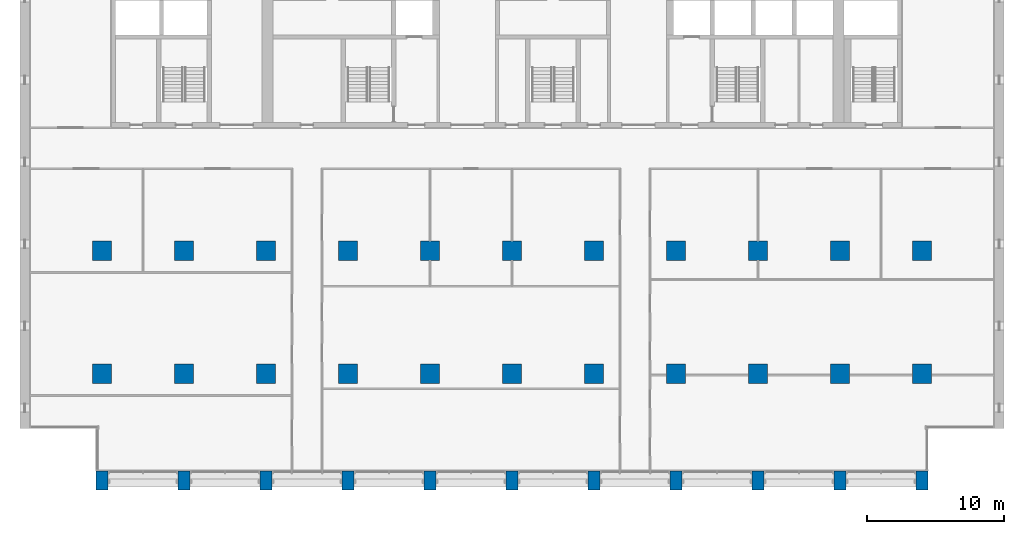
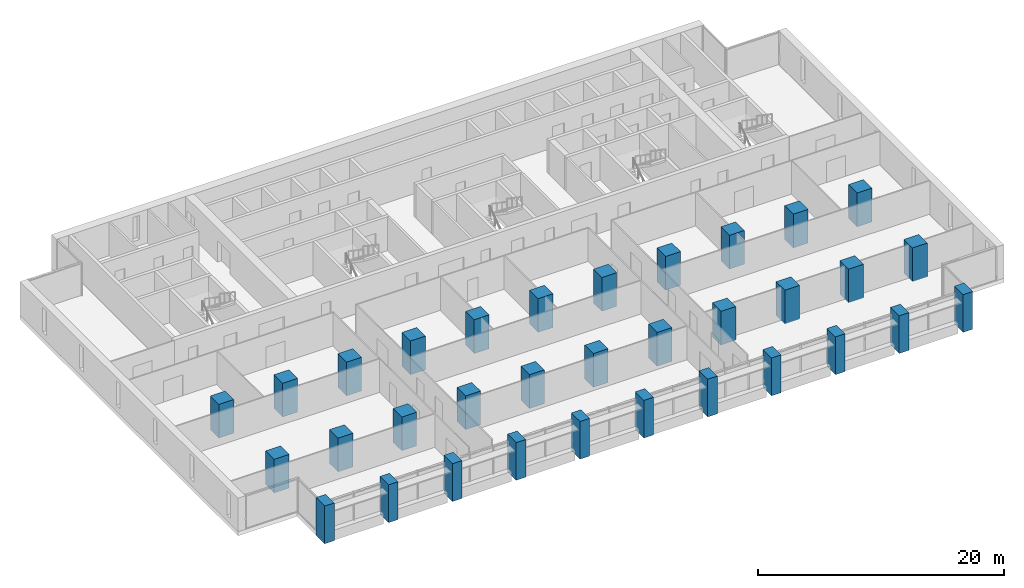
# One storey, part 1 of 17: 33 columns.
"""IFC4 building model written with IfcOpenShell, lengths in metres."""

from ifc_helpers import new_model, si_unit, direction, frame, origin, origin_2d, place, context, subcontext, project, spatial, rectangle, extrude, material, material_profile, profile_set, type_object, element, save


model = new_model("IFC4")

# Units and contexts
model_context = context("Model", 3, precision=1e-05, world=origin(), true_north=direction((0.0, 1.0)))
body_context = subcontext(model_context, "Body", "Model", "MODEL_VIEW")
ifc_project = project(units=[si_unit("LENGTHUNIT", "METRE"), si_unit("AREAUNIT", "SQUARE_METRE"), si_unit("VOLUMEUNIT", "CUBIC_METRE"), si_unit("PLANEANGLEUNIT", "RADIAN"), si_unit("MASSUNIT", "GRAM", prefix="KILO")], contexts=[model_context])

# Site, building, storey
site_placement = place(None, origin())
site = spatial("IfcSite", under=ifc_project, at=site_placement, CompositionType="ELEMENT")
building_placement = place(site_placement, origin())
building = spatial("IfcBuilding", under=site, at=building_placement, Name="Calvaro Tower", CompositionType="ELEMENT")
storey_placement = place(building_placement, frame((0.0, 0.0, 102.5)))
storey = spatial("IfcBuildingStorey", under=building, at=storey_placement, Name="L25", CompositionType="ELEMENT", Elevation=102.5)

# Columns
ifc_material_1 = material(Name="Concrete C60/75", Category="concrete")
ifc_material_profile_1 = material_profile(ifc_material_1, rectangle(XDim=1.39990234375, YDim=1.39990234375, at=origin_2d()), Name="RC 1400x1400")
ifc_profile_set_1 = profile_set([ifc_material_profile_1], Name="Concrete C60/75")
column_type_1 = type_object("IfcColumnType", Name="Column 1400x1400 C60/75", PredefinedType="COLUMN", material=ifc_profile_set_1)
for number, where, z_axis, x_axis, name in (
    (1, (6.0, 10.0, 0.0), (0.0, 0.0, 1.0), (1.0, 0.0, 0.0), "Column 2B"),
    (2, (6.0, 19.0, 0.0), (0.0, 0.0, 1.0), (1.0, 0.0, 0.0), "Column 2C"),
    (3, (12.0, 10.0, 0.0), (0.0, 0.0, 1.0), (1.0, 0.0, 0.0), "Column 3B"),
    (4, (12.0, 19.0, 0.0), (0.0, 0.0, 1.0), (1.0, 0.0, 0.0), "Column 3C"),
    (5, (18.0, 10.0, 0.0), (0.0, 0.0, 1.0), (1.0, 0.0, 0.0), "Column 4B"),
    (6, (18.0, 19.0, 0.0), (0.0, 0.0, 1.0), (1.0, 0.0, 0.0), "Column 4C"),
    (7, (24.0, 10.0, 0.0), (0.0, 0.0, 1.0), (1.0, 0.0, 0.0), "Column 5B"),
    (8, (24.0, 19.0, 0.0), (0.0, 0.0, 1.0), (1.0, 0.0, 0.0), "Column 5C"),
    (9, (30.0, 10.0, 0.0), (0.0, 0.0, 1.0), (1.0, 0.0, 0.0), "Column 6B"),
    (10, (30.0, 19.0, 0.0), (0.0, 0.0, 1.0), (1.0, 0.0, 0.0), "Column 6C"),
    (11, (36.0, 10.0, 0.0), (0.0, 0.0, 1.0), (1.0, 0.0, 0.0), "Column 7B"),
    (12, (36.0, 19.0, 0.0), (0.0, 0.0, 1.0), (1.0, 0.0, 0.0), "Column 7C"),
    (13, (42.0, 10.0, 0.0), (0.0, 0.0, 1.0), (1.0, 0.0, 0.0), "Column 8B"),
    (14, (42.0, 19.0, 0.0), (0.0, 0.0, 1.0), (1.0, 0.0, 0.0), "Column 8C"),
    (15, (48.0, 10.0, 0.0), (0.0, 0.0, 1.0), (1.0, 0.0, 0.0), "Column 9B"),
    (16, (48.0, 19.0, 0.0), (0.0, 0.0, 1.0), (1.0, 0.0, 0.0), "Column 9C"),
    (17, (54.0, 10.0, 0.0), (0.0, 0.0, 1.0), (1.0, 0.0, 0.0), "Column 10B"),
    (18, (54.0, 19.0, 0.0), (0.0, 0.0, 1.0), (1.0, 0.0, 0.0), "Column 10C"),
    (19, (60.0, 10.0, 0.0), (0.0, 0.0, 1.0), (1.0, 0.0, 0.0), "Column 11B"),
    (20, (60.0, 19.0, 0.0), (0.0, 0.0, 1.0), (1.0, 0.0, 0.0), "Column 11C"),
    (21, (66.0, 10.0, 0.0), (0.0, 0.0, 1.0), (1.0, 0.0, 0.0), "Column 12B"),
    (22, (66.0, 19.0, 0.0), (0.0, 0.0, 1.0), (1.0, 0.0, 0.0), "Column 12C"),
):
    element("IfcColumn", number, at=place(storey_placement, frame(where, z_axis=z_axis, x_axis=x_axis)), inside=storey, type_object=column_type_1, Name=name, PredefinedType="COLUMN", context=body_context, shape_type="SweptSolid", body=[
        extrude(rectangle(XDim=1.39990234375, YDim=1.39990234375, at=origin_2d()), origin(), (0.0, 0.0, 1.0), 3.35009765625),
    ])
ifc_material_2 = material(Name="Concrete C60/75", Category="concrete")
ifc_material_profile_2 = material_profile(ifc_material_2, rectangle(XDim=0.89990234375, YDim=1.39990234375, at=origin_2d()), Name="RC 900x1400")
ifc_profile_set_2 = profile_set([ifc_material_profile_2], Name="Concrete C60/75")
column_type_2 = type_object("IfcColumnType", Name="Pier 900x1400 C60/75", PredefinedType="COLUMN", material=ifc_profile_set_2)
for number, where, z_axis, x_axis, name in (
    (23, (6.0, 2.199951171875, -0.39990234375), (0.0, 0.0, 1.0), (1.0, 0.0, 0.0), "South pier 2"),
    (24, (12.0, 2.199951171875, -0.39990234375), (0.0, 0.0, 1.0), (1.0, 0.0, 0.0), "South pier 3"),
    (25, (18.0, 2.199951171875, -0.39990234375), (0.0, 0.0, 1.0), (1.0, 0.0, 0.0), "South pier 4"),
    (26, (24.0, 2.199951171875, -0.39990234375), (0.0, 0.0, 1.0), (1.0, 0.0, 0.0), "South pier 5"),
    (27, (30.0, 2.199951171875, -0.39990234375), (0.0, 0.0, 1.0), (1.0, 0.0, 0.0), "South pier 6"),
    (28, (36.0, 2.199951171875, -0.39990234375), (0.0, 0.0, 1.0), (1.0, 0.0, 0.0), "South pier 7"),
    (29, (42.0, 2.199951171875, -0.39990234375), (0.0, 0.0, 1.0), (1.0, 0.0, 0.0), "South pier 8"),
    (30, (48.0, 2.199951171875, -0.39990234375), (0.0, 0.0, 1.0), (1.0, 0.0, 0.0), "South pier 9"),
    (31, (54.0, 2.199951171875, -0.39990234375), (0.0, 0.0, 1.0), (1.0, 0.0, 0.0), "South pier 10"),
    (32, (60.0, 2.199951171875, -0.39990234375), (0.0, 0.0, 1.0), (1.0, 0.0, 0.0), "South pier 11"),
    (33, (66.0, 2.199951171875, -0.39990234375), (0.0, 0.0, 1.0), (1.0, 0.0, 0.0), "South pier 12"),
):
    element("IfcColumn", number, at=place(storey_placement, frame(where, z_axis=z_axis, x_axis=x_axis)), inside=storey, type_object=column_type_2, Name=name, PredefinedType="COLUMN", context=body_context, shape_type="SweptSolid", body=[
        extrude(rectangle(XDim=0.89990234375, YDim=1.39990234375, at=origin_2d()), origin(), (0.0, 0.0, 1.0), 3.75),
    ])

save(model, "model.ifc")
